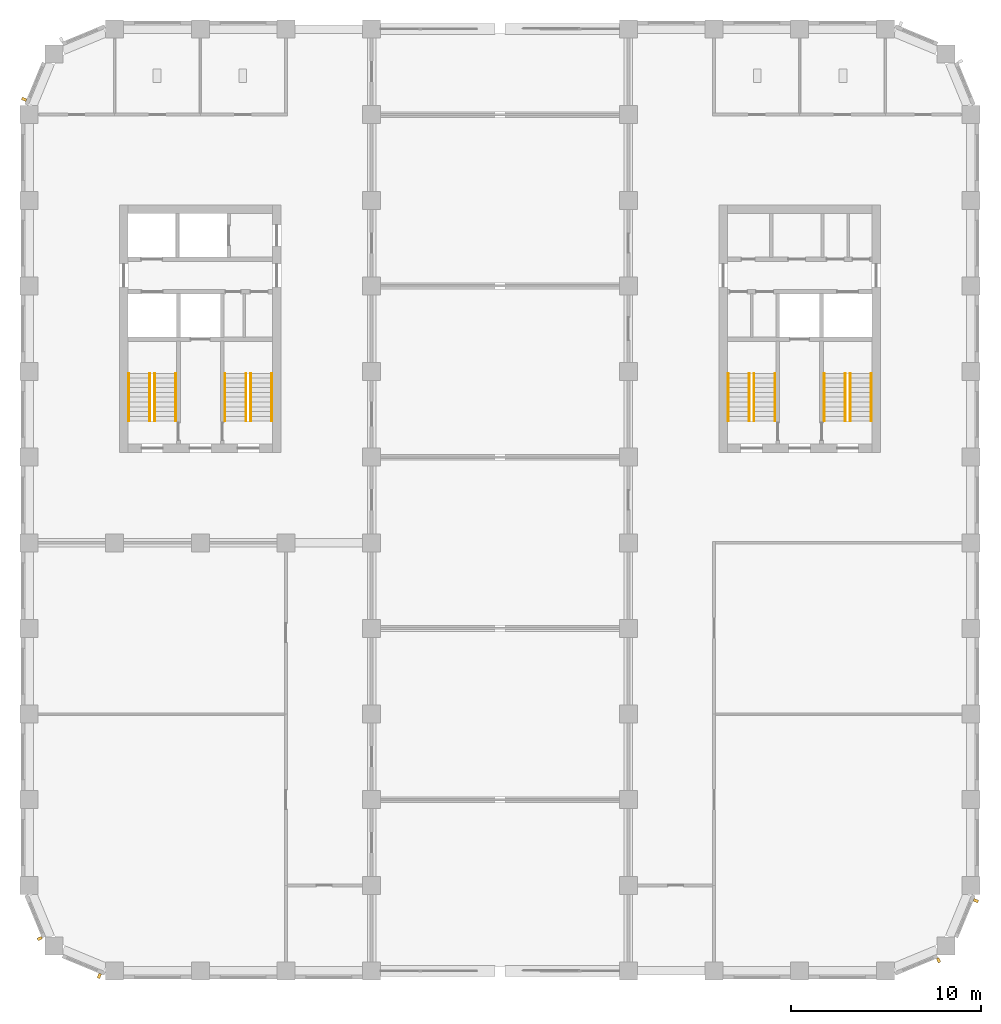
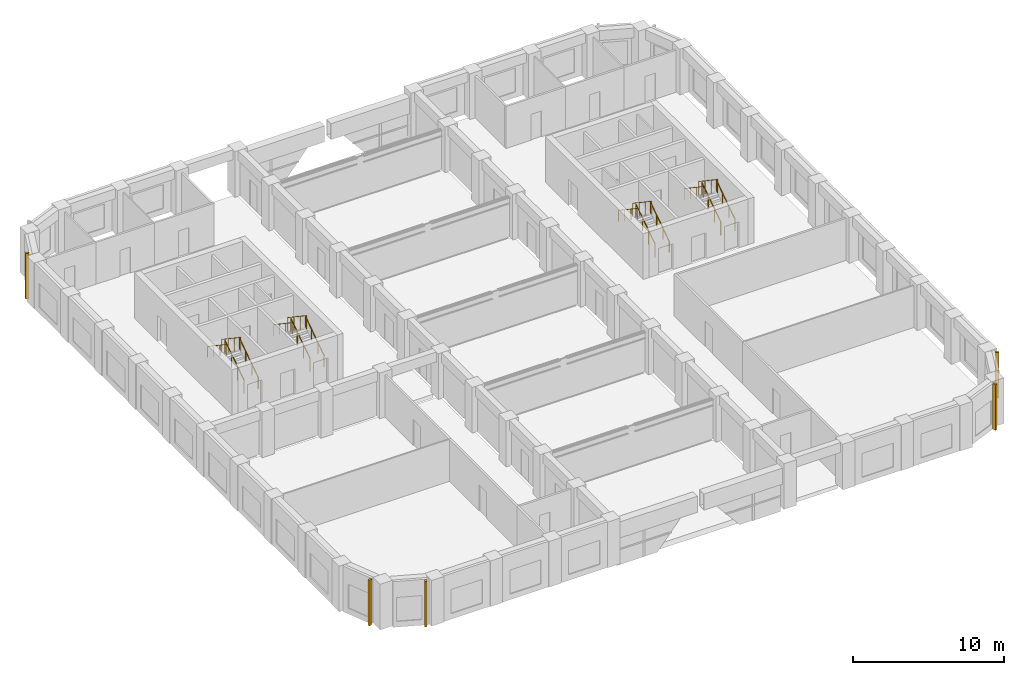
# One storey, part 12 of 14: 16 railings, 5 shading devices.
"""IFC4 building model written with IfcOpenShell, lengths in metres."""

from ifc_helpers import new_model, si_unit, direction, frame, origin, origin_2d, place, context, subcontext, project, spatial, rectangle, circle, extrude, material, type_object, element, save


model = new_model("IFC4")

# Units and contexts
model_context = context("Model", 3, precision=1e-05, world=origin(), true_north=direction((0.0, 1.0)))
body_context = subcontext(model_context, "Body", "Model", "MODEL_VIEW")
ifc_project = project(units=[si_unit("LENGTHUNIT", "METRE"), si_unit("AREAUNIT", "SQUARE_METRE"), si_unit("VOLUMEUNIT", "CUBIC_METRE"), si_unit("PLANEANGLEUNIT", "RADIAN"), si_unit("MASSUNIT", "GRAM", prefix="KILO")], contexts=[model_context])

# Site, building, storey
site_placement = place(None, origin())
site = spatial("IfcSite", under=ifc_project, at=site_placement, CompositionType="ELEMENT")
building_placement = place(site_placement, origin())
building = spatial("IfcBuilding", under=site, at=building_placement, Name="Girih Gate Residences", CompositionType="ELEMENT")
storey_placement = place(building_placement, frame((0.0, 0.0, 172.60009765625)))
storey = spatial("IfcBuildingStorey", under=building, at=storey_placement, Name="L47", CompositionType="ELEMENT", Elevation=172.60009765625)

# Shading devices
ifc_material_1 = material(Name="Precast concrete C50/60", Category="concrete")
shading_device_type = type_object("IfcShadingDeviceType", Name="Corner rib 150x250", PredefinedType="USERDEFINED", material=ifc_material_1)
for number, where, z_axis, x_axis, name in (
    (1, (0.562255859375, 1.705322265625, 0.0), (0.0, 0.0, 1.0), (0.382683432365, -0.923879532511, 0.0), "Corner rib SW0000_0045.0"),
    (2, (3.691650390625, -0.260498046875, 0.0), (0.0, 0.0, 1.0), (0.923879532511, -0.382683432365, 0.0), "Corner rib SW0013_0013.0"),
    (3, (47.794677734375, 0.562255859375, 0.0), (0.0, 0.0, 1.0), (0.923879532511, 0.382683432365, 0.0), "Corner rib SE0450_0000.0"),
    (4, (49.760498046875, 3.691650390625, 0.0), (0.0, 0.0, 1.0), (0.382683432365, 0.923879532511, 0.0), "Corner rib SE0482_0013.0"),
    (5, (-0.260498046875, 45.808349609375, 0.0), (0.0, 0.0, 1.0), (-0.382683432365, -0.923879532511, 0.0), "Corner rib NW0013_0482.0"),
):
    element("IfcShadingDevice", number, at=place(storey_placement, frame(where, z_axis=z_axis, x_axis=x_axis)), inside=storey, type_object=shading_device_type, Name=name, ObjectType="FIN", PredefinedType="USERDEFINED", context=body_context, shape_type="SweptSolid", body=[
        extrude(rectangle(XDim=0.14990234375, YDim=0.25, at=origin_2d()), origin(), (0.0, 0.0, 1.0), 3.699951171875),
    ])

# Railings
ifc_material_2 = material(Name="Stainless steel", Category="steel")
railing_type_1 = type_object("IfcRailingType", Name="Stair guard 1100", PredefinedType="GUARDRAIL", material=ifc_material_2)
railing_1_placement = place(storey_placement, frame((6.60009765625, 28.89990234375, 0.16796875)))
element("IfcRailing", 6, at=railing_1_placement, inside=storey, type_object=railing_type_1, Name="L47 ST-W1 stair guard 1", PredefinedType="GUARDRAIL", context=body_context, shape_type="SweptSolid", body=[
    extrude(circle(Radius=0.02392578125, at=origin_2d()), frame((0.0, 0.0, 1.076171875), z_axis=(0.0, 0.82971187571, 0.558191905446), x_axis=(-1.0, 0.0, 0.0)), (0.0, 0.0, 1.0), 3.01318359375),
    extrude(circle(Radius=0.02099609375, at=origin_2d()), origin(), (0.0, 0.0, 1.0), 1.052001953125),
    extrude(circle(Radius=0.02099609375, at=origin_2d()), frame((0.0, 0.833251953125, 0.560546875)), (0.0, 0.0, 1.0), 1.052001953125),
    extrude(circle(Radius=0.02099609375, at=origin_2d()), frame((0.0, 1.666748046875, 1.121337890625)), (0.0, 0.0, 1.0), 1.052001953125),
    extrude(circle(Radius=0.02099609375, at=origin_2d()), frame((0.0, 2.5, 1.681884765625)), (0.0, 0.0, 1.0), 1.052001953125),
])
railing_2_placement = place(storey_placement, frame((6.35009765625, 31.39990234375, 2.01806640625)))
element("IfcRailing", 7, at=railing_2_placement, inside=storey, type_object=railing_type_1, Name="L47 ST-W1 stair guard 2", PredefinedType="GUARDRAIL", context=body_context, shape_type="SweptSolid", body=[
    extrude(circle(Radius=0.02392578125, at=origin_2d()), frame((0.0, 0.0, 1.076171875), z_axis=(0.0, -0.82971187571, 0.558191905446), x_axis=(1.0, 0.0, 0.0)), (0.0, 0.0, 1.0), 3.01318359375),
    extrude(circle(Radius=0.02099609375, at=origin_2d()), origin(), (0.0, 0.0, 1.0), 1.052001953125),
    extrude(circle(Radius=0.02099609375, at=origin_2d()), frame((0.0, -0.833251953125, 0.560546875)), (0.0, 0.0, 1.0), 1.052001953125),
    extrude(circle(Radius=0.02099609375, at=origin_2d()), frame((0.0, -1.666748046875, 1.121337890625)), (0.0, 0.0, 1.0), 1.052001953125),
    extrude(circle(Radius=0.02099609375, at=origin_2d()), frame((0.0, -2.5, 1.681884765625)), (0.0, 0.0, 1.0), 1.052001953125),
])
railing_3_placement = place(storey_placement, frame((11.64990234375, 28.89990234375, 0.16796875)))
element("IfcRailing", 8, at=railing_3_placement, inside=storey, type_object=railing_type_1, Name="L47 ST-W2 stair guard 1", PredefinedType="GUARDRAIL", context=body_context, shape_type="SweptSolid", body=[
    extrude(circle(Radius=0.02392578125, at=origin_2d()), frame((0.0, 0.0, 1.076171875), z_axis=(0.0, 0.82971187571, 0.558191905446), x_axis=(-1.0, 0.0, 0.0)), (0.0, 0.0, 1.0), 3.01318359375),
    extrude(circle(Radius=0.02099609375, at=origin_2d()), origin(), (0.0, 0.0, 1.0), 1.052001953125),
    extrude(circle(Radius=0.02099609375, at=origin_2d()), frame((0.0, 0.833251953125, 0.560546875)), (0.0, 0.0, 1.0), 1.052001953125),
    extrude(circle(Radius=0.02099609375, at=origin_2d()), frame((0.0, 1.666748046875, 1.121337890625)), (0.0, 0.0, 1.0), 1.052001953125),
    extrude(circle(Radius=0.02099609375, at=origin_2d()), frame((0.0, 2.5, 1.681884765625)), (0.0, 0.0, 1.0), 1.052001953125),
])
railing_4_placement = place(storey_placement, frame((11.39990234375, 31.39990234375, 2.01806640625)))
element("IfcRailing", 9, at=railing_4_placement, inside=storey, type_object=railing_type_1, Name="L47 ST-W2 stair guard 2", PredefinedType="GUARDRAIL", context=body_context, shape_type="SweptSolid", body=[
    extrude(circle(Radius=0.02392578125, at=origin_2d()), frame((0.0, 0.0, 1.076171875), z_axis=(0.0, -0.82971187571, 0.558191905446), x_axis=(1.0, 0.0, 0.0)), (0.0, 0.0, 1.0), 3.01318359375),
    extrude(circle(Radius=0.02099609375, at=origin_2d()), origin(), (0.0, 0.0, 1.0), 1.052001953125),
    extrude(circle(Radius=0.02099609375, at=origin_2d()), frame((0.0, -0.833251953125, 0.560546875)), (0.0, 0.0, 1.0), 1.052001953125),
    extrude(circle(Radius=0.02099609375, at=origin_2d()), frame((0.0, -1.666748046875, 1.121337890625)), (0.0, 0.0, 1.0), 1.052001953125),
    extrude(circle(Radius=0.02099609375, at=origin_2d()), frame((0.0, -2.5, 1.681884765625)), (0.0, 0.0, 1.0), 1.052001953125),
])
railing_5_placement = place(storey_placement, frame((43.14990234375, 28.89990234375, 0.16796875)))
element("IfcRailing", 10, at=railing_5_placement, inside=storey, type_object=railing_type_1, Name="L47 ST-E1 stair guard 1", PredefinedType="GUARDRAIL", context=body_context, shape_type="SweptSolid", body=[
    extrude(circle(Radius=0.02392578125, at=origin_2d()), frame((0.0, 0.0, 1.076171875), z_axis=(0.0, 0.82971187571, 0.558191905446), x_axis=(-1.0, 0.0, 0.0)), (0.0, 0.0, 1.0), 3.01318359375),
    extrude(circle(Radius=0.02099609375, at=origin_2d()), origin(), (0.0, 0.0, 1.0), 1.052001953125),
    extrude(circle(Radius=0.02099609375, at=origin_2d()), frame((0.0, 0.833251953125, 0.560546875)), (0.0, 0.0, 1.0), 1.052001953125),
    extrude(circle(Radius=0.02099609375, at=origin_2d()), frame((0.0, 1.666748046875, 1.121337890625)), (0.0, 0.0, 1.0), 1.052001953125),
    extrude(circle(Radius=0.02099609375, at=origin_2d()), frame((0.0, 2.5, 1.681884765625)), (0.0, 0.0, 1.0), 1.052001953125),
])
railing_6_placement = place(storey_placement, frame((42.89990234375, 31.39990234375, 2.01806640625)))
element("IfcRailing", 11, at=railing_6_placement, inside=storey, type_object=railing_type_1, Name="L47 ST-E1 stair guard 2", PredefinedType="GUARDRAIL", context=body_context, shape_type="SweptSolid", body=[
    extrude(circle(Radius=0.02392578125, at=origin_2d()), frame((0.0, 0.0, 1.076171875), z_axis=(0.0, -0.82971187571, 0.558191905446), x_axis=(1.0, 0.0, 0.0)), (0.0, 0.0, 1.0), 3.01318359375),
    extrude(circle(Radius=0.02099609375, at=origin_2d()), origin(), (0.0, 0.0, 1.0), 1.052001953125),
    extrude(circle(Radius=0.02099609375, at=origin_2d()), frame((0.0, -0.833251953125, 0.560546875)), (0.0, 0.0, 1.0), 1.052001953125),
    extrude(circle(Radius=0.02099609375, at=origin_2d()), frame((0.0, -1.666748046875, 1.121337890625)), (0.0, 0.0, 1.0), 1.052001953125),
    extrude(circle(Radius=0.02099609375, at=origin_2d()), frame((0.0, -2.5, 1.681884765625)), (0.0, 0.0, 1.0), 1.052001953125),
])
railing_7_placement = place(storey_placement, frame((38.10009765625, 28.89990234375, 0.16796875)))
element("IfcRailing", 12, at=railing_7_placement, inside=storey, type_object=railing_type_1, Name="L47 ST-E2 stair guard 1", PredefinedType="GUARDRAIL", context=body_context, shape_type="SweptSolid", body=[
    extrude(circle(Radius=0.02392578125, at=origin_2d()), frame((0.0, 0.0, 1.076171875), z_axis=(0.0, 0.82971187571, 0.558191905446), x_axis=(-1.0, 0.0, 0.0)), (0.0, 0.0, 1.0), 3.01318359375),
    extrude(circle(Radius=0.02099609375, at=origin_2d()), origin(), (0.0, 0.0, 1.0), 1.052001953125),
    extrude(circle(Radius=0.02099609375, at=origin_2d()), frame((0.0, 0.833251953125, 0.560546875)), (0.0, 0.0, 1.0), 1.052001953125),
    extrude(circle(Radius=0.02099609375, at=origin_2d()), frame((0.0, 1.666748046875, 1.121337890625)), (0.0, 0.0, 1.0), 1.052001953125),
    extrude(circle(Radius=0.02099609375, at=origin_2d()), frame((0.0, 2.5, 1.681884765625)), (0.0, 0.0, 1.0), 1.052001953125),
])
railing_8_placement = place(storey_placement, frame((37.85009765625, 31.39990234375, 2.01806640625)))
element("IfcRailing", 13, at=railing_8_placement, inside=storey, type_object=railing_type_1, Name="L47 ST-E2 stair guard 2", PredefinedType="GUARDRAIL", context=body_context, shape_type="SweptSolid", body=[
    extrude(circle(Radius=0.02392578125, at=origin_2d()), frame((0.0, 0.0, 1.076171875), z_axis=(0.0, -0.82971187571, 0.558191905446), x_axis=(1.0, 0.0, 0.0)), (0.0, 0.0, 1.0), 3.01318359375),
    extrude(circle(Radius=0.02099609375, at=origin_2d()), origin(), (0.0, 0.0, 1.0), 1.052001953125),
    extrude(circle(Radius=0.02099609375, at=origin_2d()), frame((0.0, -0.833251953125, 0.560546875)), (0.0, 0.0, 1.0), 1.052001953125),
    extrude(circle(Radius=0.02099609375, at=origin_2d()), frame((0.0, -1.666748046875, 1.121337890625)), (0.0, 0.0, 1.0), 1.052001953125),
    extrude(circle(Radius=0.02099609375, at=origin_2d()), frame((0.0, -2.5, 1.681884765625)), (0.0, 0.0, 1.0), 1.052001953125),
])
railing_type_2 = type_object("IfcRailingType", Name="Stair handrail 900", PredefinedType="HANDRAIL", material=ifc_material_2)
railing_9_placement = place(storey_placement, frame((7.699951171875, 28.89990234375, 0.16796875)))
element("IfcRailing", 14, at=railing_9_placement, inside=storey, type_object=railing_type_2, Name="L47 ST-W1 stair handrail 1", PredefinedType="HANDRAIL", context=body_context, shape_type="SweptSolid", body=[
    extrude(circle(Radius=0.02392578125, at=origin_2d()), frame((0.0, 0.0, 0.8857421875), z_axis=(0.0, 0.82971187571, 0.558191905446), x_axis=(-1.0, 0.0, 0.0)), (0.0, 0.0, 1.0), 3.01318359375),
    extrude(circle(Radius=0.02099609375, at=origin_2d()), origin(), (0.0, 0.0, 1.0), 0.86181640625),
    extrude(circle(Radius=0.02099609375, at=origin_2d()), frame((0.0, 0.833251953125, 0.560546875)), (0.0, 0.0, 1.0), 0.86181640625),
    extrude(circle(Radius=0.02099609375, at=origin_2d()), frame((0.0, 1.666748046875, 1.121337890625)), (0.0, 0.0, 1.0), 0.86181640625),
    extrude(circle(Radius=0.02099609375, at=origin_2d()), frame((0.0, 2.5, 1.681884765625)), (0.0, 0.0, 1.0), 0.86181640625),
])
railing_10_placement = place(storey_placement, frame((5.25, 31.39990234375, 2.01806640625)))
element("IfcRailing", 15, at=railing_10_placement, inside=storey, type_object=railing_type_2, Name="L47 ST-W1 stair handrail 2", PredefinedType="HANDRAIL", context=body_context, shape_type="SweptSolid", body=[
    extrude(circle(Radius=0.02392578125, at=origin_2d()), frame((0.0, 0.0, 0.8857421875), z_axis=(0.0, -0.82971187571, 0.558191905446), x_axis=(1.0, 0.0, 0.0)), (0.0, 0.0, 1.0), 3.01318359375),
    extrude(circle(Radius=0.02099609375, at=origin_2d()), origin(), (0.0, 0.0, 1.0), 0.86181640625),
    extrude(circle(Radius=0.02099609375, at=origin_2d()), frame((0.0, -0.833251953125, 0.560546875)), (0.0, 0.0, 1.0), 0.86181640625),
    extrude(circle(Radius=0.02099609375, at=origin_2d()), frame((0.0, -1.666748046875, 1.121337890625)), (0.0, 0.0, 1.0), 0.86181640625),
    extrude(circle(Radius=0.02099609375, at=origin_2d()), frame((0.0, -2.5, 1.681884765625)), (0.0, 0.0, 1.0), 0.86181640625),
])
railing_11_placement = place(storey_placement, frame((12.75, 28.89990234375, 0.16796875)))
element("IfcRailing", 16, at=railing_11_placement, inside=storey, type_object=railing_type_2, Name="L47 ST-W2 stair handrail 1", PredefinedType="HANDRAIL", context=body_context, shape_type="SweptSolid", body=[
    extrude(circle(Radius=0.02392578125, at=origin_2d()), frame((0.0, 0.0, 0.8857421875), z_axis=(0.0, 0.82971187571, 0.558191905446), x_axis=(-1.0, 0.0, 0.0)), (0.0, 0.0, 1.0), 3.01318359375),
    extrude(circle(Radius=0.02099609375, at=origin_2d()), origin(), (0.0, 0.0, 1.0), 0.86181640625),
    extrude(circle(Radius=0.02099609375, at=origin_2d()), frame((0.0, 0.833251953125, 0.560546875)), (0.0, 0.0, 1.0), 0.86181640625),
    extrude(circle(Radius=0.02099609375, at=origin_2d()), frame((0.0, 1.666748046875, 1.121337890625)), (0.0, 0.0, 1.0), 0.86181640625),
    extrude(circle(Radius=0.02099609375, at=origin_2d()), frame((0.0, 2.5, 1.681884765625)), (0.0, 0.0, 1.0), 0.86181640625),
])
railing_12_placement = place(storey_placement, frame((10.300048828125, 31.39990234375, 2.01806640625)))
element("IfcRailing", 17, at=railing_12_placement, inside=storey, type_object=railing_type_2, Name="L47 ST-W2 stair handrail 2", PredefinedType="HANDRAIL", context=body_context, shape_type="SweptSolid", body=[
    extrude(circle(Radius=0.02392578125, at=origin_2d()), frame((0.0, 0.0, 0.8857421875), z_axis=(0.0, -0.82971187571, 0.558191905446), x_axis=(1.0, 0.0, 0.0)), (0.0, 0.0, 1.0), 3.01318359375),
    extrude(circle(Radius=0.02099609375, at=origin_2d()), origin(), (0.0, 0.0, 1.0), 0.86181640625),
    extrude(circle(Radius=0.02099609375, at=origin_2d()), frame((0.0, -0.833251953125, 0.560546875)), (0.0, 0.0, 1.0), 0.86181640625),
    extrude(circle(Radius=0.02099609375, at=origin_2d()), frame((0.0, -1.666748046875, 1.121337890625)), (0.0, 0.0, 1.0), 0.86181640625),
    extrude(circle(Radius=0.02099609375, at=origin_2d()), frame((0.0, -2.5, 1.681884765625)), (0.0, 0.0, 1.0), 0.86181640625),
])
railing_13_placement = place(storey_placement, frame((44.25, 28.89990234375, 0.16796875)))
element("IfcRailing", 18, at=railing_13_placement, inside=storey, type_object=railing_type_2, Name="L47 ST-E1 stair handrail 1", PredefinedType="HANDRAIL", context=body_context, shape_type="SweptSolid", body=[
    extrude(circle(Radius=0.02392578125, at=origin_2d()), frame((0.0, 0.0, 0.8857421875), z_axis=(0.0, 0.82971187571, 0.558191905446), x_axis=(-1.0, 0.0, 0.0)), (0.0, 0.0, 1.0), 3.01318359375),
    extrude(circle(Radius=0.02099609375, at=origin_2d()), origin(), (0.0, 0.0, 1.0), 0.86181640625),
    extrude(circle(Radius=0.02099609375, at=origin_2d()), frame((0.0, 0.833251953125, 0.560546875)), (0.0, 0.0, 1.0), 0.86181640625),
    extrude(circle(Radius=0.02099609375, at=origin_2d()), frame((0.0, 1.666748046875, 1.121337890625)), (0.0, 0.0, 1.0), 0.86181640625),
    extrude(circle(Radius=0.02099609375, at=origin_2d()), frame((0.0, 2.5, 1.681884765625)), (0.0, 0.0, 1.0), 0.86181640625),
])
railing_14_placement = place(storey_placement, frame((41.800048828125, 31.39990234375, 2.01806640625)))
element("IfcRailing", 19, at=railing_14_placement, inside=storey, type_object=railing_type_2, Name="L47 ST-E1 stair handrail 2", PredefinedType="HANDRAIL", context=body_context, shape_type="SweptSolid", body=[
    extrude(circle(Radius=0.02392578125, at=origin_2d()), frame((0.0, 0.0, 0.8857421875), z_axis=(0.0, -0.82971187571, 0.558191905446), x_axis=(1.0, 0.0, 0.0)), (0.0, 0.0, 1.0), 3.01318359375),
    extrude(circle(Radius=0.02099609375, at=origin_2d()), origin(), (0.0, 0.0, 1.0), 0.86181640625),
    extrude(circle(Radius=0.02099609375, at=origin_2d()), frame((0.0, -0.833251953125, 0.560546875)), (0.0, 0.0, 1.0), 0.86181640625),
    extrude(circle(Radius=0.02099609375, at=origin_2d()), frame((0.0, -1.666748046875, 1.121337890625)), (0.0, 0.0, 1.0), 0.86181640625),
    extrude(circle(Radius=0.02099609375, at=origin_2d()), frame((0.0, -2.5, 1.681884765625)), (0.0, 0.0, 1.0), 0.86181640625),
])
railing_15_placement = place(storey_placement, frame((39.199951171875, 28.89990234375, 0.16796875)))
element("IfcRailing", 20, at=railing_15_placement, inside=storey, type_object=railing_type_2, Name="L47 ST-E2 stair handrail 1", PredefinedType="HANDRAIL", context=body_context, shape_type="SweptSolid", body=[
    extrude(circle(Radius=0.02392578125, at=origin_2d()), frame((0.0, 0.0, 0.8857421875), z_axis=(0.0, 0.82971187571, 0.558191905446), x_axis=(-1.0, 0.0, 0.0)), (0.0, 0.0, 1.0), 3.01318359375),
    extrude(circle(Radius=0.02099609375, at=origin_2d()), origin(), (0.0, 0.0, 1.0), 0.86181640625),
    extrude(circle(Radius=0.02099609375, at=origin_2d()), frame((0.0, 0.833251953125, 0.560546875)), (0.0, 0.0, 1.0), 0.86181640625),
    extrude(circle(Radius=0.02099609375, at=origin_2d()), frame((0.0, 1.666748046875, 1.121337890625)), (0.0, 0.0, 1.0), 0.86181640625),
    extrude(circle(Radius=0.02099609375, at=origin_2d()), frame((0.0, 2.5, 1.681884765625)), (0.0, 0.0, 1.0), 0.86181640625),
])
railing_16_placement = place(storey_placement, frame((36.75, 31.39990234375, 2.01806640625)))
element("IfcRailing", 21, at=railing_16_placement, inside=storey, type_object=railing_type_2, Name="L47 ST-E2 stair handrail 2", PredefinedType="HANDRAIL", context=body_context, shape_type="SweptSolid", body=[
    extrude(circle(Radius=0.02392578125, at=origin_2d()), frame((0.0, 0.0, 0.8857421875), z_axis=(0.0, -0.82971187571, 0.558191905446), x_axis=(1.0, 0.0, 0.0)), (0.0, 0.0, 1.0), 3.01318359375),
    extrude(circle(Radius=0.02099609375, at=origin_2d()), origin(), (0.0, 0.0, 1.0), 0.86181640625),
    extrude(circle(Radius=0.02099609375, at=origin_2d()), frame((0.0, -0.833251953125, 0.560546875)), (0.0, 0.0, 1.0), 0.86181640625),
    extrude(circle(Radius=0.02099609375, at=origin_2d()), frame((0.0, -1.666748046875, 1.121337890625)), (0.0, 0.0, 1.0), 0.86181640625),
    extrude(circle(Radius=0.02099609375, at=origin_2d()), frame((0.0, -2.5, 1.681884765625)), (0.0, 0.0, 1.0), 0.86181640625),
])

save(model, "model.ifc")
